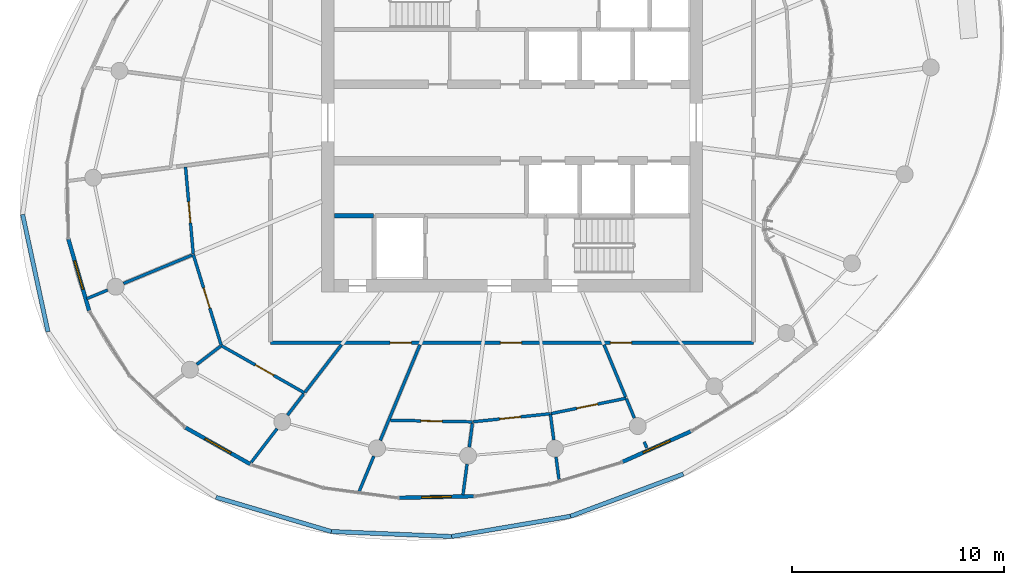
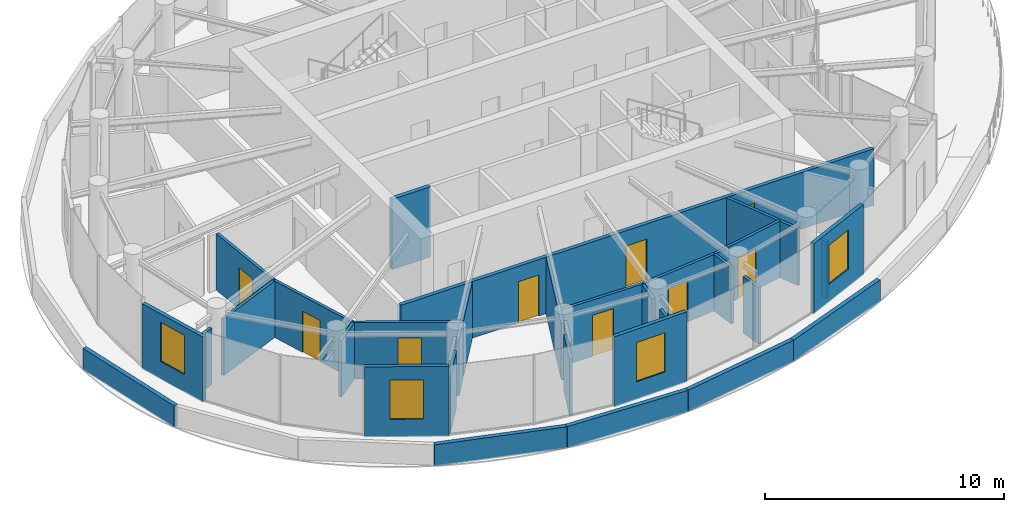
# One storey, part 11 of 19: 32 walls, 9 doors, 4 windows, 13 openings.
"""IFC4 building model written with IfcOpenShell, lengths in metres."""

from ifc_helpers import new_model, si_unit, direction, frame, frame_2d, origin, place, context, subcontext, project, spatial, rectangle, extrude, source, transform, mapped, material, layer, layer_set, type_object, element, fill, save


model = new_model("IFC4")

# Units and contexts
model_context = context("Model", 3, precision=1e-05, world=origin(), true_north=direction((0.0, 1.0)))
body_context = subcontext(model_context, "Body", "Model", "MODEL_VIEW")
ifc_project = project(units=[si_unit("LENGTHUNIT", "METRE"), si_unit("AREAUNIT", "SQUARE_METRE"), si_unit("VOLUMEUNIT", "CUBIC_METRE"), si_unit("PLANEANGLEUNIT", "RADIAN"), si_unit("MASSUNIT", "GRAM", prefix="KILO")], contexts=[model_context])

# Site, building, storey
site_placement = place(None, origin())
site = spatial("IfcSite", under=ifc_project, at=site_placement, CompositionType="ELEMENT")
building_placement = place(site_placement, origin())
building = spatial("IfcBuilding", under=site, at=building_placement, Name="Spindrift Exchange Tower", CompositionType="ELEMENT")
storey_placement = place(building_placement, frame((0.0, 0.0, 234.5)))
storey = spatial("IfcBuildingStorey", under=building, at=storey_placement, Name="L57", CompositionType="ELEMENT", Elevation=234.5)

# Walls
ifc_material_1 = material(Name="Concrete 40 MPa", Category="concrete")
ifc_layer_1 = layer(ifc_material_1, 0.199951171875)
ifc_layer_set_1 = layer_set([ifc_layer_1], Name="LEDGE PARAPET 1100")
wall_type_1 = type_object("IfcWallType", Name="LEDGE PARAPET 1100", PredefinedType="PARAPET", material=ifc_layer_set_1)
wall_1_placement = place(storey_placement, frame((60.0888671875, 31.4013671875, 0.0), z_axis=(0.0, 0.0, 1.0), x_axis=(-0.936639117681, -0.350295822456, 0.0)))
element("IfcWall", 1, at=wall_1_placement, inside=storey, type_object=wall_type_1, Name="L57 Ledge Parapet 3", PredefinedType="PARAPET", context=body_context, shape_type="SweptSolid", body=[
    extrude(rectangle(XDim=5.690673828125, YDim=0.199951171875, at=frame_2d((2.84521484375, 0.0))), origin(), (0.0, 0.0, 1.0), 1.10009765625),
])
wall_2_placement = place(storey_placement, frame((54.7587890625, 29.407958984375, 0.0), z_axis=(0.0, 0.0, 1.0), x_axis=(-0.985817393896, -0.167821529883, 0.0)))
element("IfcWall", 2, at=wall_2_placement, inside=storey, type_object=wall_type_1, Name="L57 Ledge Parapet 4", PredefinedType="PARAPET", context=body_context, shape_type="SweptSolid", body=[
    extrude(rectangle(XDim=5.689697265625, YDim=0.199951171875, at=frame_2d((2.8447265625, 0.0))), origin(), (0.0, 0.0, 1.0), 1.10009765625),
])
wall_3_placement = place(storey_placement, frame((49.14990234375, 28.453125, 0.0), z_axis=(0.0, 0.0, 1.0), x_axis=(-0.999155618316, 0.041085890376, 0.0)))
element("IfcWall", 3, at=wall_3_placement, inside=storey, type_object=wall_type_1, Name="L57 Ledge Parapet 5", PredefinedType="PARAPET", context=body_context, shape_type="SweptSolid", body=[
    extrude(rectangle(XDim=5.686767578125, YDim=0.199951171875, at=frame_2d((2.84326171875, 0.0))), origin(), (0.0, 0.0, 1.0), 1.10009765625),
])
wall_4_placement = place(storey_placement, frame((43.468017578125, 28.686767578125, 0.0), z_axis=(0.0, 0.0, 1.0), x_axis=(-0.958624512287, 0.284673575244, 0.0)))
element("IfcWall", 4, at=wall_4_placement, inside=storey, type_object=wall_type_1, Name="L57 Ledge Parapet 6", PredefinedType="PARAPET", context=body_context, shape_type="SweptSolid", body=[
    extrude(rectangle(XDim=5.680908203125, YDim=0.199951171875, at=frame_2d((2.84033203125, 0.0))), origin(), (0.0, 0.0, 1.0), 1.10009765625),
])
wall_5_placement = place(storey_placement, frame((30.086669921875, 38.123779296875, 0.0), z_axis=(0.0, 0.0, 1.0), x_axis=(-0.211215904609, 0.977439431188, 0.0)))
element("IfcWall", 5, at=wall_5_placement, inside=storey, type_object=wall_type_1, Name="L57 Ledge Parapet 9", PredefinedType="PARAPET", context=body_context, shape_type="SweptSolid", body=[
    extrude(rectangle(XDim=5.66259765625, YDim=0.199951171875, at=frame_2d((2.831298828125, 0.0))), origin(), (0.0, 0.0, 1.0), 1.10009765625),
])

# Wall, opening, window
ifc_material_2 = material(Name="Bronze anodised aluminium frame with fritted laminated glass spandrel", Category="aluminium")
ifc_layer_2 = layer(ifc_material_2, 0.179931640625)
ifc_layer_set_2 = layer_set([ifc_layer_2], Name="UNITISED FRAME WALL")
wall_type_2 = type_object("IfcWallType", Name="UNITISED FRAME WALL", PredefinedType="STANDARD", material=ifc_layer_set_2)
wall_6_placement = place(storey_placement, frame((36.581298828125, 33.5966796875, 0.0), z_axis=(0.0, 0.0, 1.0), x_axis=(0.870989877484, -0.491300960023, 0.0)))
wall_6 = element("IfcWall", 6, at=wall_6_placement, inside=storey, type_object=wall_type_2, Name="L57 Frame Wall 14", PredefinedType="STANDARD", context=body_context, shape_type="SweptSolid", body=[
    extrude(rectangle(XDim=3.521728515625, YDim=0.179931640625, at=frame_2d((1.7607421875, 0.0))), origin(), (0.0, 0.0, 1.0), 3.580078125),
])
opening_1_placement = place(wall_6_placement, frame((1.060791015625, 0.0, 0.89990234375)))
opening_1 = element("IfcOpeningElement", 7, at=opening_1_placement, cuts=wall_6, Name="Opening WV57-05", PredefinedType="OPENING", context=body_context, shape_type="SweptSolid", body=[
    extrude(rectangle(XDim=1.39990234375, YDim=2.0, at=frame_2d((0.699951171875, 1.0))), frame((0.0, 0.099853515625, 0.0), z_axis=(0.0, -1.0, 0.0), x_axis=(1.0, 0.0, 0.0)), (0.0, 0.0, 1.0), 0.199951171875),
])
ifc_material_3 = material(Name="Clear laminated low-iron glass in bronze frame", Category="glass")
window_type = type_object("IfcWindowType", Name="OPERABLE CLEAR VENT 1400X2000", PartitioningType="SINGLE_PANEL", PredefinedType="WINDOW", material=ifc_material_3)
shared_shape_1 = source(origin(), body_context, "Body", "SweptSolid", [
    extrude(rectangle(XDim=1.39990234375, YDim=2.0, at=frame_2d((0.699951171875, 1.0))), frame((0.0, 0.030029296875, 0.0), z_axis=(0.0, -1.0, 0.0), x_axis=(1.0, 0.0, 0.0)), (0.0, 0.0, 1.0), 0.06005859375),
])
window_1_placement = place(opening_1_placement, origin())
window_1 = element("IfcWindow", 8, at=window_1_placement, inside=storey, type_object=window_type, Name="L57 Operable Vent WV57-05", OverallHeight=2.0, OverallWidth=1.39990234375, PartitioningType="SINGLE_PANEL", PredefinedType="WINDOW", context=body_context, shape_type="MappedRepresentation", body=[
    mapped(shared_shape_1, transform((0.0, 0.0, 0.0), scale=1.0)),
])
fill(opening_1, window_1)

wall_7_placement = place(storey_placement, frame((46.669921875, 30.280517578125, 0.0), z_axis=(0.0, 0.0, 1.0), x_axis=(0.999778374941, 0.021052339543, 0.0)))
wall_7 = element("IfcWall", 9, at=wall_7_placement, inside=storey, type_object=wall_type_2, Name="L57 Frame Wall 17", PredefinedType="STANDARD", context=body_context, shape_type="SweptSolid", body=[
    extrude(rectangle(XDim=3.525390625, YDim=0.179931640625, at=frame_2d((1.7626953125, 0.0))), origin(), (0.0, 0.0, 1.0), 3.580078125),
])
opening_2_placement = place(wall_7_placement, frame((1.062744140625, 0.0, 0.89990234375)))
opening_2 = element("IfcOpeningElement", 10, at=opening_2_placement, cuts=wall_7, Name="Opening WV57-06", PredefinedType="OPENING", context=body_context, shape_type="SweptSolid", body=[
    extrude(rectangle(XDim=1.39990234375, YDim=2.0, at=frame_2d((0.699951171875, 1.0))), frame((0.0, 0.099853515625, 0.0), z_axis=(0.0, -1.0, 0.0), x_axis=(1.0, 0.0, 0.0)), (0.0, 0.0, 1.0), 0.199951171875),
])
window_2_placement = place(opening_2_placement, origin())
window_2 = element("IfcWindow", 11, at=window_2_placement, inside=storey, type_object=window_type, Name="L57 Operable Vent WV57-06", OverallHeight=2.0, OverallWidth=1.39990234375, PartitioningType="SINGLE_PANEL", PredefinedType="WINDOW", context=body_context, shape_type="MappedRepresentation", body=[
    mapped(shared_shape_1, transform((0.0, 0.0, 0.0), scale=1.0)),
])
fill(opening_2, window_2)

wall_8_placement = place(storey_placement, frame((57.224853515625, 31.9794921875, 0.0), z_axis=(0.0, 0.0, 1.0), x_axis=(0.913021877142, 0.407910592973, 0.0)))
wall_8 = element("IfcWall", 12, at=wall_8_placement, inside=storey, type_object=wall_type_2, Name="L57 Frame Wall 20", PredefinedType="STANDARD", context=body_context, shape_type="SweptSolid", body=[
    extrude(rectangle(XDim=3.5263671875, YDim=0.179931640625, at=frame_2d((1.76318359375, 0.0))), origin(), (0.0, 0.0, 1.0), 3.580078125),
])
opening_3_placement = place(wall_8_placement, frame((1.063232421875, 0.0, 0.89990234375)))
opening_3 = element("IfcOpeningElement", 13, at=opening_3_placement, cuts=wall_8, Name="Opening WV57-07", PredefinedType="OPENING", context=body_context, shape_type="SweptSolid", body=[
    extrude(rectangle(XDim=1.39990234375, YDim=2.0, at=frame_2d((0.699951171875, 1.0))), frame((0.0, 0.099853515625, 0.0), z_axis=(0.0, -1.0, 0.0), x_axis=(1.0, 0.0, 0.0)), (0.0, 0.0, 1.0), 0.199951171875),
])
window_3_placement = place(opening_3_placement, origin())
window_3 = element("IfcWindow", 14, at=window_3_placement, inside=storey, type_object=window_type, Name="L57 Operable Vent WV57-07", OverallHeight=2.0, OverallWidth=1.39990234375, PartitioningType="SINGLE_PANEL", PredefinedType="WINDOW", context=body_context, shape_type="MappedRepresentation", body=[
    mapped(shared_shape_1, transform((0.0, 0.0, 0.0), scale=1.0)),
])
fill(opening_3, window_3)

ifc_layer_3 = layer(ifc_material_2, 0.179931640625)
ifc_layer_set_3 = layer_set([ifc_layer_3], Name="UNITISED FRAME WALL TO BEAM SOFFIT")
wall_type_3 = type_object("IfcWallType", Name="UNITISED FRAME WALL TO BEAM SOFFIT", PredefinedType="STANDARD", material=ifc_layer_set_3)
wall_9_placement = place(storey_placement, frame((31.052490234375, 42.49169921875, 0.0), z_axis=(0.0, 0.0, 1.0), x_axis=(0.278669778919, -0.960386981543, 0.0)))
wall_9 = element("IfcWall", 15, at=wall_9_placement, inside=storey, type_object=wall_type_3, Name="L57 Frame Wall 11", PredefinedType="STANDARD", context=body_context, shape_type="SweptSolid", body=[
    extrude(rectangle(XDim=3.517578125, YDim=0.179931640625, at=frame_2d((1.7587890625, 0.0))), origin(), (0.0, 0.0, 1.0), 3.327880859375),
])
opening_4_placement = place(wall_9_placement, frame((1.058837890625, 0.0, 0.89990234375)))
opening_4 = element("IfcOpeningElement", 16, at=opening_4_placement, cuts=wall_9, Name="Opening WV57-04", PredefinedType="OPENING", context=body_context, shape_type="SweptSolid", body=[
    extrude(rectangle(XDim=1.39990234375, YDim=2.0, at=frame_2d((0.699951171875, 1.0))), frame((0.0, 0.099853515625, 0.0), z_axis=(0.0, -1.0, 0.0), x_axis=(1.0, 0.0, 0.0)), (0.0, 0.0, 1.0), 0.199951171875),
])
window_4_placement = place(opening_4_placement, origin())
window_4 = element("IfcWindow", 17, at=window_4_placement, inside=storey, type_object=window_type, Name="L57 Operable Vent WV57-04", OverallHeight=2.0, OverallWidth=1.39990234375, PartitioningType="SINGLE_PANEL", PredefinedType="WINDOW", context=body_context, shape_type="MappedRepresentation", body=[
    mapped(shared_shape_1, transform((0.0, 0.0, 0.0), scale=1.0)),
])
fill(opening_4, window_4)

# Wall, openings, doors
ifc_material_4 = material(Name="Fire-rated plasterboard partition", Category="gypsum")
ifc_layer_4 = layer(ifc_material_4, 0.179931640625)
ifc_layer_set_4 = layer_set([ifc_layer_4], Name="W-CORR-180")
wall_type_4 = type_object("IfcWallType", Name="W-CORR-180", PredefinedType="PARTITIONING", material=ifc_layer_set_4)
wall_10_placement = place(storey_placement, frame((63.39990234375, 37.60009765625, 0.0), z_axis=(0.0, 0.0, 1.0), x_axis=(-1.0, 0.0, 0.0)))
wall_10 = element("IfcWall", 18, at=wall_10_placement, inside=storey, type_object=wall_type_4, Name="L57 Partition wall 27", PredefinedType="PARTITIONING", context=body_context, shape_type="SweptSolid", body=[
    extrude(rectangle(XDim=22.7998046875, YDim=0.179931640625, at=frame_2d((11.39990234375, 0.0))), origin(), (0.0, 0.0, 1.0), 2.8798828125),
])
opening_5_placement = place(wall_10_placement, frame((16.14990234375, 0.0, 0.0)))
opening_5 = element("IfcOpeningElement", 19, at=opening_5_placement, cuts=wall_10, Name="Opening L57-D32", PredefinedType="OPENING", context=body_context, shape_type="SweptSolid", body=[
    extrude(rectangle(XDim=1.0, YDim=2.10009765625, at=frame_2d((0.5, 1.050048828125))), frame((0.0, 0.099853515625, 0.0), z_axis=(0.0, -1.0, 0.0), x_axis=(1.0, 0.0, 0.0)), (0.0, 0.0, 1.0), 0.199951171875),
])
opening_6_placement = place(wall_10_placement, frame((10.949951171875, 0.0, 0.0)))
opening_6 = element("IfcOpeningElement", 20, at=opening_6_placement, cuts=wall_10, Name="Opening L57-D33", PredefinedType="OPENING", context=body_context, shape_type="SweptSolid", body=[
    extrude(rectangle(XDim=1.0, YDim=2.10009765625, at=frame_2d((0.5, 1.050048828125))), frame((0.0, 0.099853515625, 0.0), z_axis=(0.0, -1.0, 0.0), x_axis=(1.0, 0.0, 0.0)), (0.0, 0.0, 1.0), 0.199951171875),
])
opening_7_placement = place(wall_10_placement, frame((5.75, 0.0, 0.0)))
opening_7 = element("IfcOpeningElement", 21, at=opening_7_placement, cuts=wall_10, Name="Opening L57-D37", PredefinedType="OPENING", context=body_context, shape_type="SweptSolid", body=[
    extrude(rectangle(XDim=1.0, YDim=2.10009765625, at=frame_2d((0.5, 1.050048828125))), frame((0.0, 0.099853515625, 0.0), z_axis=(0.0, -1.0, 0.0), x_axis=(1.0, 0.0, 0.0)), (0.0, 0.0, 1.0), 0.199951171875),
])
ifc_material_5 = material(Name="Timber-core fire door", Category="wood")
door_type = type_object("IfcDoorType", Name="DR-ROOM-1000", OperationType="NOTDEFINED", PredefinedType="DOOR", material=ifc_material_5)
shared_shape_2 = source(origin(), body_context, "Body", "SweptSolid", [
    extrude(rectangle(XDim=1.0, YDim=2.10009765625, at=frame_2d((0.5, 1.050048828125))), frame((0.0, 0.02490234375, 0.0), z_axis=(0.0, -1.0, 0.0), x_axis=(1.0, 0.0, 0.0)), (0.0, 0.0, 1.0), 0.050048828125),
])
door_1_placement = place(opening_5_placement, origin())
door_1 = element("IfcDoor", 22, at=door_1_placement, inside=storey, type_object=door_type, Name="L57 Door 32", OperationType="SINGLE_SWING_RIGHT", OverallHeight=2.10009765625, OverallWidth=1.0, PredefinedType="DOOR", context=body_context, shape_type="MappedRepresentation", body=[
    mapped(shared_shape_2, transform((0.0, 0.0, 0.0), scale=1.0)),
])
fill(opening_5, door_1)
door_2_placement = place(opening_6_placement, origin())
door_2 = element("IfcDoor", 23, at=door_2_placement, inside=storey, type_object=door_type, Name="L57 Door 33", OperationType="SINGLE_SWING_LEFT", OverallHeight=2.10009765625, OverallWidth=1.0, PredefinedType="DOOR", context=body_context, shape_type="MappedRepresentation", body=[
    mapped(shared_shape_2, transform((0.0, 0.0, 0.0), scale=1.0)),
])
fill(opening_6, door_2)
door_3_placement = place(opening_7_placement, origin())
door_3 = element("IfcDoor", 24, at=door_3_placement, inside=storey, type_object=door_type, Name="L57 Door 37", OperationType="SINGLE_SWING_LEFT", OverallHeight=2.10009765625, OverallWidth=1.0, PredefinedType="DOOR", context=body_context, shape_type="MappedRepresentation", body=[
    mapped(shared_shape_2, transform((0.0, 0.0, 0.0), scale=1.0)),
])
fill(opening_7, door_3)

# Wall
ifc_layer_5 = layer(ifc_material_4, 0.139892578125)
ifc_layer_set_5 = layer_set([ifc_layer_5], Name="W-PART-140")
wall_type_5 = type_object("IfcWallType", Name="W-PART-140", PredefinedType="PARTITIONING", material=ifc_layer_set_5)
wall_11_placement = place(storey_placement, frame((45.783203125, 32.99169921875, 0.0), z_axis=(0.0, 0.0, 1.0), x_axis=(0.382689806821, 0.923876892099, 0.0)))
element("IfcWall", 25, at=wall_11_placement, inside=storey, type_object=wall_type_5, Name="L57 Partition wall 31", PredefinedType="PARTITIONING", context=body_context, shape_type="SweptSolid", body=[
    extrude(rectangle(XDim=4.890625, YDim=0.139892578125, at=frame_2d((2.4453125, 0.0))), origin(), (0.0, 0.0, 1.0), 2.8798828125),
])

# Wall, opening, door
wall_12_placement = place(storey_placement, frame((42.203369140625, 35.232666015625, 0.0), z_axis=(0.0, 0.0, 1.0), x_axis=(-0.869307862445, 0.494271019068, 0.0)))
wall_12 = element("IfcWall", 26, at=wall_12_placement, inside=storey, type_object=wall_type_5, Name="L57 Partition wall 32", PredefinedType="PARTITIONING", context=body_context, shape_type="SweptSolid", body=[
    extrude(rectangle(XDim=4.52099609375, YDim=0.139892578125, at=frame_2d((2.260498046875, 0.0))), origin(), (0.0, 0.0, 1.0), 2.8798828125),
])
opening_8_placement = place(wall_12_placement, frame((1.6708984375, 0.0, 0.0)))
opening_8 = element("IfcOpeningElement", 27, at=opening_8_placement, cuts=wall_12, Name="Opening L57-D31", PredefinedType="OPENING", context=body_context, shape_type="SweptSolid", body=[
    extrude(rectangle(XDim=1.0, YDim=2.10009765625, at=frame_2d((0.5, 1.050048828125))), frame((0.0, 0.079833984375, 0.0), z_axis=(0.0, -1.0, 0.0), x_axis=(1.0, 0.0, 0.0)), (0.0, 0.0, 1.0), 0.159912109375),
])
door_4_placement = place(opening_8_placement, origin())
door_4 = element("IfcDoor", 28, at=door_4_placement, inside=storey, type_object=door_type, Name="L57 Door 31", OperationType="SINGLE_SWING_LEFT", OverallHeight=2.10009765625, OverallWidth=1.0, PredefinedType="DOOR", context=body_context, shape_type="MappedRepresentation", body=[
    mapped(shared_shape_2, transform((0.0, 0.0, 0.0), scale=1.0)),
])
fill(opening_8, door_4)

wall_13_placement = place(storey_placement, frame((38.264404296875, 37.495849609375, 0.0), z_axis=(0.0, 0.0, 1.0), x_axis=(-0.293913060846, 0.955832157162, 0.0)))
wall_13 = element("IfcWall", 29, at=wall_13_placement, inside=storey, type_object=wall_type_5, Name="L57 Partition wall 33", PredefinedType="PARTITIONING", context=body_context, shape_type="SweptSolid", body=[
    extrude(rectangle(XDim=4.468017578125, YDim=0.139892578125, at=frame_2d((2.23388671875, 0.0))), origin(), (0.0, 0.0, 1.0), 2.8798828125),
])
opening_9_placement = place(wall_13_placement, frame((1.818115234375, 0.0, 0.0)))
opening_9 = element("IfcOpeningElement", 30, at=opening_9_placement, cuts=wall_13, Name="Opening L57-D30", PredefinedType="OPENING", context=body_context, shape_type="SweptSolid", body=[
    extrude(rectangle(XDim=1.0, YDim=2.10009765625, at=frame_2d((0.5, 1.050048828125))), frame((0.0, 0.079833984375, 0.0), z_axis=(0.0, -1.0, 0.0), x_axis=(1.0, 0.0, 0.0)), (0.0, 0.0, 1.0), 0.159912109375),
])
door_5_placement = place(opening_9_placement, origin())
door_5 = element("IfcDoor", 31, at=door_5_placement, inside=storey, type_object=door_type, Name="L57 Door 30", OperationType="SINGLE_SWING_RIGHT", OverallHeight=2.10009765625, OverallWidth=1.0, PredefinedType="DOOR", context=body_context, shape_type="MappedRepresentation", body=[
    mapped(shared_shape_2, transform((0.0, 0.0, 0.0), scale=1.0)),
])
fill(opening_9, door_5)

# Walls
wall_14_placement = place(storey_placement, frame((41.3994140625, 34.18505859375, 0.0), z_axis=(0.0, 0.0, 1.0), x_axis=(0.608870244727, 0.793269831196, 0.0)))
element("IfcWall", 32, at=wall_14_placement, inside=storey, type_object=wall_type_5, Name="L57 Partition wall 36", PredefinedType="PARTITIONING", context=body_context, shape_type="SweptSolid", body=[
    extrude(rectangle(XDim=1.249755859375, YDim=0.139892578125, at=frame_2d((0.625, 0.0))), origin(), (0.0, 0.0, 1.0), 2.8798828125),
])
wall_15_placement = place(storey_placement, frame((42.221435546875, 35.256591796875, 0.0), z_axis=(0.0, 0.0, 1.0), x_axis=(0.608792367533, 0.793329599368, 0.0)))
element("IfcWall", 33, at=wall_15_placement, inside=storey, type_object=wall_type_5, Name="L57 Partition wall 37", PredefinedType="PARTITIONING", context=body_context, shape_type="SweptSolid", body=[
    extrude(rectangle(XDim=2.840576171875, YDim=0.139892578125, at=frame_2d((1.42041015625, 0.0))), origin(), (0.0, 0.0, 1.0), 2.8798828125),
])

# Wall, opening, door
wall_16_placement = place(storey_placement, frame((36.948486328125, 41.79638671875, 0.0), z_axis=(0.0, 0.0, 1.0), x_axis=(-0.088537177072, 0.996072872975, 0.0)))
wall_16 = element("IfcWall", 34, at=wall_16_placement, inside=storey, type_object=wall_type_5, Name="L57 Partition wall 38", PredefinedType="PARTITIONING", context=body_context, shape_type="SweptSolid", body=[
    extrude(rectangle(XDim=4.11962890625, YDim=0.139892578125, at=frame_2d((2.059814453125, 0.0))), origin(), (0.0, 0.0, 1.0), 2.8798828125),
])
opening_10_placement = place(wall_16_placement, frame((1.469482421875, 0.0, 0.0)))
opening_10 = element("IfcOpeningElement", 35, at=opening_10_placement, cuts=wall_16, Name="Opening L57-D29", PredefinedType="OPENING", context=body_context, shape_type="SweptSolid", body=[
    extrude(rectangle(XDim=1.0, YDim=2.10009765625, at=frame_2d((0.5, 1.050048828125))), frame((0.0, 0.079833984375, 0.0), z_axis=(0.0, -1.0, 0.0), x_axis=(1.0, 0.0, 0.0)), (0.0, 0.0, 1.0), 0.159912109375),
])
door_6_placement = place(opening_10_placement, origin())
door_6 = element("IfcDoor", 36, at=door_6_placement, inside=storey, type_object=door_type, Name="L57 Door 29", OperationType="SINGLE_SWING_LEFT", OverallHeight=2.10009765625, OverallWidth=1.0, PredefinedType="DOOR", context=body_context, shape_type="MappedRepresentation", body=[
    mapped(shared_shape_2, transform((0.0, 0.0, 0.0), scale=1.0)),
])
fill(opening_10, door_6)

wall_17_placement = place(storey_placement, frame((50.139404296875, 33.866943359375, 0.0), z_axis=(0.0, 0.0, 1.0), x_axis=(-0.999814117064, 0.019280335046, 0.0)))
wall_17 = element("IfcWall", 37, at=wall_17_placement, inside=storey, type_object=wall_type_5, Name="L57 Partition wall 42", PredefinedType="PARTITIONING", context=body_context, shape_type="SweptSolid", body=[
    extrude(rectangle(XDim=3.887451171875, YDim=0.139892578125, at=frame_2d((1.94384765625, 0.0))), origin(), (0.0, 0.0, 1.0), 2.8798828125),
])
opening_11_placement = place(wall_17_placement, frame((1.437255859375, 0.0, 0.0)))
opening_11 = element("IfcOpeningElement", 38, at=opening_11_placement, cuts=wall_17, Name="Opening L57-D34", PredefinedType="OPENING", context=body_context, shape_type="SweptSolid", body=[
    extrude(rectangle(XDim=1.0, YDim=2.10009765625, at=frame_2d((0.5, 1.050048828125))), frame((0.0, 0.079833984375, 0.0), z_axis=(0.0, -1.0, 0.0), x_axis=(1.0, 0.0, 0.0)), (0.0, 0.0, 1.0), 0.159912109375),
])
door_7_placement = place(opening_11_placement, origin())
door_7 = element("IfcDoor", 39, at=door_7_placement, inside=storey, type_object=door_type, Name="L57 Door 34", OperationType="SINGLE_SWING_RIGHT", OverallHeight=2.10009765625, OverallWidth=1.0, PredefinedType="DOOR", context=body_context, shape_type="MappedRepresentation", body=[
    mapped(shared_shape_2, transform((0.0, 0.0, 0.0), scale=1.0)),
])
fill(opening_11, door_7)

wall_18_placement = place(storey_placement, frame((53.810302734375, 34.248779296875, 0.0), z_axis=(0.0, 0.0, 1.0), x_axis=(-0.994635862238, -0.103438394953, 0.0)))
wall_18 = element("IfcWall", 40, at=wall_18_placement, inside=storey, type_object=wall_type_5, Name="L57 Partition wall 46", PredefinedType="PARTITIONING", context=body_context, shape_type="SweptSolid", body=[
    extrude(rectangle(XDim=3.66064453125, YDim=0.139892578125, at=frame_2d((1.830322265625, 0.0))), origin(), (0.0, 0.0, 1.0), 2.8798828125),
])
opening_12_placement = place(wall_18_placement, frame((1.410888671875, 0.0, 0.0)))
opening_12 = element("IfcOpeningElement", 41, at=opening_12_placement, cuts=wall_18, Name="Opening L57-D35", PredefinedType="OPENING", context=body_context, shape_type="SweptSolid", body=[
    extrude(rectangle(XDim=1.0, YDim=2.10009765625, at=frame_2d((0.5, 1.050048828125))), frame((0.0, 0.079833984375, 0.0), z_axis=(0.0, -1.0, 0.0), x_axis=(1.0, 0.0, 0.0)), (0.0, 0.0, 1.0), 0.159912109375),
])
door_8_placement = place(opening_12_placement, origin())
door_8 = element("IfcDoor", 42, at=door_8_placement, inside=storey, type_object=door_type, Name="L57 Door 35", OperationType="SINGLE_SWING_LEFT", OverallHeight=2.10009765625, OverallWidth=1.0, PredefinedType="DOOR", context=body_context, shape_type="MappedRepresentation", body=[
    mapped(shared_shape_2, transform((0.0, 0.0, 0.0), scale=1.0)),
])
fill(opening_12, door_8)

wall_19_placement = place(storey_placement, frame((57.392333984375, 34.981689453125, 0.0), z_axis=(0.0, 0.0, 1.0), x_axis=(-0.97970621896, -0.200438829898, 0.0)))
wall_19 = element("IfcWall", 43, at=wall_19_placement, inside=storey, type_object=wall_type_5, Name="L57 Partition wall 47", PredefinedType="PARTITIONING", context=body_context, shape_type="SweptSolid", body=[
    extrude(rectangle(XDim=3.6259765625, YDim=0.139892578125, at=frame_2d((1.81298828125, 0.0))), origin(), (0.0, 0.0, 1.0), 2.8798828125),
])
opening_13_placement = place(wall_19_placement, frame((1.376220703125, 0.0, 0.0)))
opening_13 = element("IfcOpeningElement", 44, at=opening_13_placement, cuts=wall_19, Name="Opening L57-D36", PredefinedType="OPENING", context=body_context, shape_type="SweptSolid", body=[
    extrude(rectangle(XDim=1.0, YDim=2.10009765625, at=frame_2d((0.5, 1.050048828125))), frame((0.0, 0.079833984375, 0.0), z_axis=(0.0, -1.0, 0.0), x_axis=(1.0, 0.0, 0.0)), (0.0, 0.0, 1.0), 0.159912109375),
])
door_9_placement = place(opening_13_placement, origin())
door_9 = element("IfcDoor", 45, at=door_9_placement, inside=storey, type_object=door_type, Name="L57 Door 36", OperationType="SINGLE_SWING_RIGHT", OverallHeight=2.10009765625, OverallWidth=1.0, PredefinedType="DOOR", context=body_context, shape_type="MappedRepresentation", body=[
    mapped(shared_shape_2, transform((0.0, 0.0, 0.0), scale=1.0)),
])
fill(opening_13, door_9)

# Walls
wall_20_placement = place(storey_placement, frame((36.885986328125, 41.739501953125, 0.0), z_axis=(0.0, 0.0, 1.0), x_axis=(-0.923892629166, -0.382651812714, 0.0)))
element("IfcWall", 46, at=wall_20_placement, inside=storey, type_object=wall_type_5, Name="L57 Partition wall 49", PredefinedType="PARTITIONING", context=body_context, shape_type="SweptSolid", body=[
    extrude(rectangle(XDim=3.49755859375, YDim=0.139892578125, at=frame_2d((1.748779296875, 0.0))), origin(), (0.0, 0.0, 1.0), 2.8798828125),
])
wall_21_placement = place(storey_placement, frame((56.34521484375, 37.510009765625, 0.0), z_axis=(0.0, 0.0, 1.0), x_axis=(0.382624166052, -0.923904079195, 0.0)))
element("IfcWall", 47, at=wall_21_placement, inside=storey, type_object=wall_type_5, Name="L57 Partition wall 52", PredefinedType="PARTITIONING", context=body_context, shape_type="SweptSolid", body=[
    extrude(rectangle(XDim=2.665283203125, YDim=0.139892578125, at=frame_2d((1.33251953125, 0.0))), origin(), (0.0, 0.0, 1.0), 2.8798828125),
])
wall_22_placement = place(storey_placement, frame((39.69482421875, 31.963623046875, 0.0), z_axis=(0.0, 0.0, 1.0), x_axis=(0.608714685666, 0.793389205532, 0.0)))
element("IfcWall", 48, at=wall_22_placement, inside=storey, type_object=wall_type_5, Name="L57 Partition wall 59", PredefinedType="PARTITIONING", context=body_context, shape_type="SweptSolid", body=[
    extrude(rectangle(XDim=1.990966796875, YDim=0.139892578125, at=frame_2d((0.99560546875, 0.0))), origin(), (0.0, 0.0, 1.0), 2.8798828125),
])
wall_23_placement = place(storey_placement, frame((45.473388671875, 32.2431640625, 0.0), z_axis=(0.0, 0.0, 1.0), x_axis=(-0.382692713278, -0.923875688177, 0.0)))
element("IfcWall", 49, at=wall_23_placement, inside=storey, type_object=wall_type_5, Name="L57 Partition wall 60", PredefinedType="PARTITIONING", context=body_context, shape_type="SweptSolid", body=[
    extrude(rectangle(XDim=1.81298828125, YDim=0.139892578125, at=frame_2d((0.906494140625, 0.0))), origin(), (0.0, 0.0, 1.0), 2.8798828125),
])
wall_24_placement = place(storey_placement, frame((38.24951171875, 37.448974609375, 0.0), z_axis=(0.0, 0.0, 1.0), x_axis=(-0.793313149545, -0.60881380303, 0.0)))
element("IfcWall", 50, at=wall_24_placement, inside=storey, type_object=wall_type_5, Name="L57 Partition wall 64", PredefinedType="PARTITIONING", context=body_context, shape_type="SweptSolid", body=[
    extrude(rectangle(XDim=1.434326171875, YDim=0.139892578125, at=frame_2d((0.71728515625, 0.0))), origin(), (0.0, 0.0, 1.0), 2.8798828125),
])
wall_25_placement = place(storey_placement, frame((49.876220703125, 31.86767578125, 0.0), z_axis=(0.0, 0.0, 1.0), x_axis=(-0.130519440536, -0.991445750226, 0.0)))
element("IfcWall", 51, at=wall_25_placement, inside=storey, type_object=wall_type_5, Name="L57 Partition wall 65", PredefinedType="PARTITIONING", context=body_context, shape_type="SweptSolid", body=[
    extrude(rectangle(XDim=1.458984375, YDim=0.139892578125, at=frame_2d((0.7294921875, 0.0))), origin(), (0.0, 0.0, 1.0), 2.8798828125),
])
wall_26_placement = place(storey_placement, frame((53.814208984375, 34.218994140625, 0.0), z_axis=(0.0, 0.0, 1.0), x_axis=(0.130583439875, -0.991437322896, 0.0)))
element("IfcWall", 52, at=wall_26_placement, inside=storey, type_object=wall_type_5, Name="L57 Partition wall 66", PredefinedType="PARTITIONING", context=body_context, shape_type="SweptSolid", body=[
    extrude(rectangle(XDim=1.224609375, YDim=0.139892578125, at=frame_2d((0.6123046875, 0.0))), origin(), (0.0, 0.0, 1.0), 2.8798828125),
])
wall_27_placement = place(storey_placement, frame((50.130126953125, 33.797119140625, 0.0), z_axis=(0.0, 0.0, 1.0), x_axis=(-0.13056005306, -0.991440402921, 0.0)))
element("IfcWall", 53, at=wall_27_placement, inside=storey, type_object=wall_type_5, Name="L57 Partition wall 67", PredefinedType="PARTITIONING", context=body_context, shape_type="SweptSolid", body=[
    extrude(rectangle(XDim=1.136962890625, YDim=0.139892578125, at=frame_2d((0.568359375, 0.0))), origin(), (0.0, 0.0, 1.0), 2.8798828125),
])
wall_28_placement = place(storey_placement, frame((32.90625, 40.091064453125, 0.0), z_axis=(0.0, 0.0, 1.0), x_axis=(-0.923853671478, -0.382745860457, 0.0)))
element("IfcWall", 54, at=wall_28_placement, inside=storey, type_object=wall_type_5, Name="L57 Partition wall 68", PredefinedType="PARTITIONING", context=body_context, shape_type="SweptSolid", body=[
    extrude(rectangle(XDim=1.076171875, YDim=0.139892578125, at=frame_2d((0.5380859375, 0.0))), origin(), (0.0, 0.0, 1.0), 2.8798828125),
])
wall_29_placement = place(storey_placement, frame((54.07958984375, 32.202880859375, 0.0), z_axis=(0.0, 0.0, 1.0), x_axis=(0.13054416447, -0.991442495116, 0.0)))
element("IfcWall", 55, at=wall_29_placement, inside=storey, type_object=wall_type_5, Name="L57 Partition wall 69", PredefinedType="PARTITIONING", context=body_context, shape_type="SweptSolid", body=[
    extrude(rectangle(XDim=1.056640625, YDim=0.139892578125, at=frame_2d((0.5283203125, 0.0))), origin(), (0.0, 0.0, 1.0), 2.8798828125),
])
wall_30_placement = place(storey_placement, frame((57.40380859375, 34.953857421875, 0.0), z_axis=(0.0, 0.0, 1.0), x_axis=(0.382686140255, -0.923878410862, 0.0)))
element("IfcWall", 56, at=wall_30_placement, inside=storey, type_object=wall_type_5, Name="L57 Partition wall 70", PredefinedType="PARTITIONING", context=body_context, shape_type="SweptSolid", body=[
    extrude(rectangle(XDim=0.98876953125, YDim=0.139892578125, at=frame_2d((0.494384765625, 0.0))), origin(), (0.0, 0.0, 1.0), 2.8798828125),
])
wall_31_placement = place(storey_placement, frame((58.245361328125, 32.92236328125, 0.0), z_axis=(0.0, 0.0, 1.0), x_axis=(0.382468842715, -0.92396838926, 0.0)))
element("IfcWall", 57, at=wall_31_placement, inside=storey, type_object=wall_type_5, Name="L57 Partition wall 77", PredefinedType="PARTITIONING", context=body_context, shape_type="SweptSolid", body=[
    extrude(rectangle(XDim=0.30712890625, YDim=0.139892578125, at=frame_2d((0.153564453125, 0.0))), origin(), (0.0, 0.0, 1.0), 2.8798828125),
])
ifc_layer_6 = layer(ifc_material_1, 0.199951171875)
ifc_layer_set_6 = layer_set([ifc_layer_6], Name="W-SHAFT-200")
wall_type_6 = type_object("IfcWallType", Name="W-SHAFT-200", PredefinedType="SOLIDWALL", material=ifc_layer_set_6)
wall_32_placement = place(storey_placement, frame((45.469970703125, 43.60009765625, 0.0), z_axis=(0.0, 0.0, 1.0), x_axis=(-1.0, 0.0, 0.0)))
element("IfcWall", 58, at=wall_32_placement, inside=storey, type_object=wall_type_6, Name="L57 Shaft wall 20", PredefinedType="SOLIDWALL", context=body_context, shape_type="SweptSolid", body=[
    extrude(rectangle(XDim=1.849853515625, YDim=0.199951171875, at=frame_2d((0.9248046875, 0.0))), origin(), (0.0, 0.0, 1.0), 3.580078125),
])

save(model, "model.ifc")
